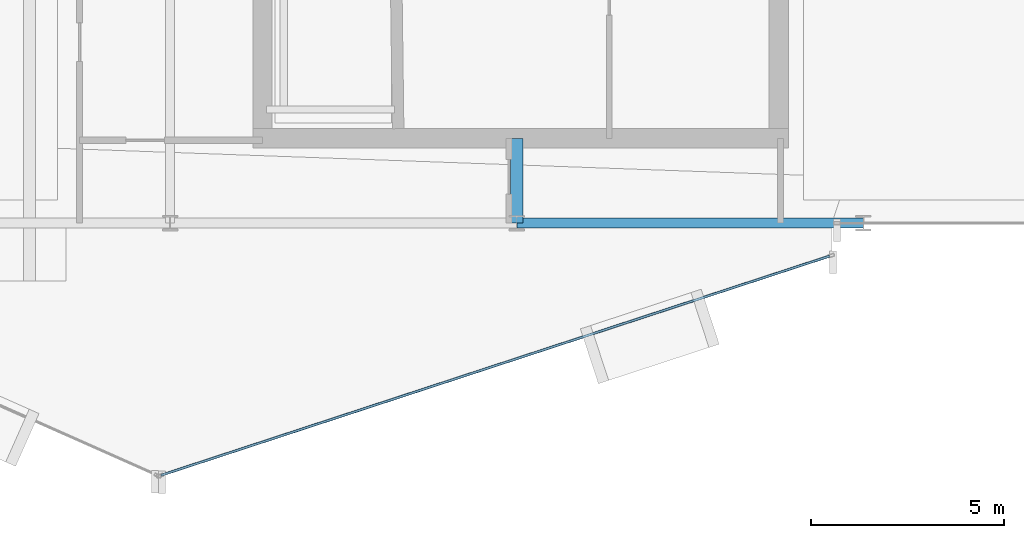
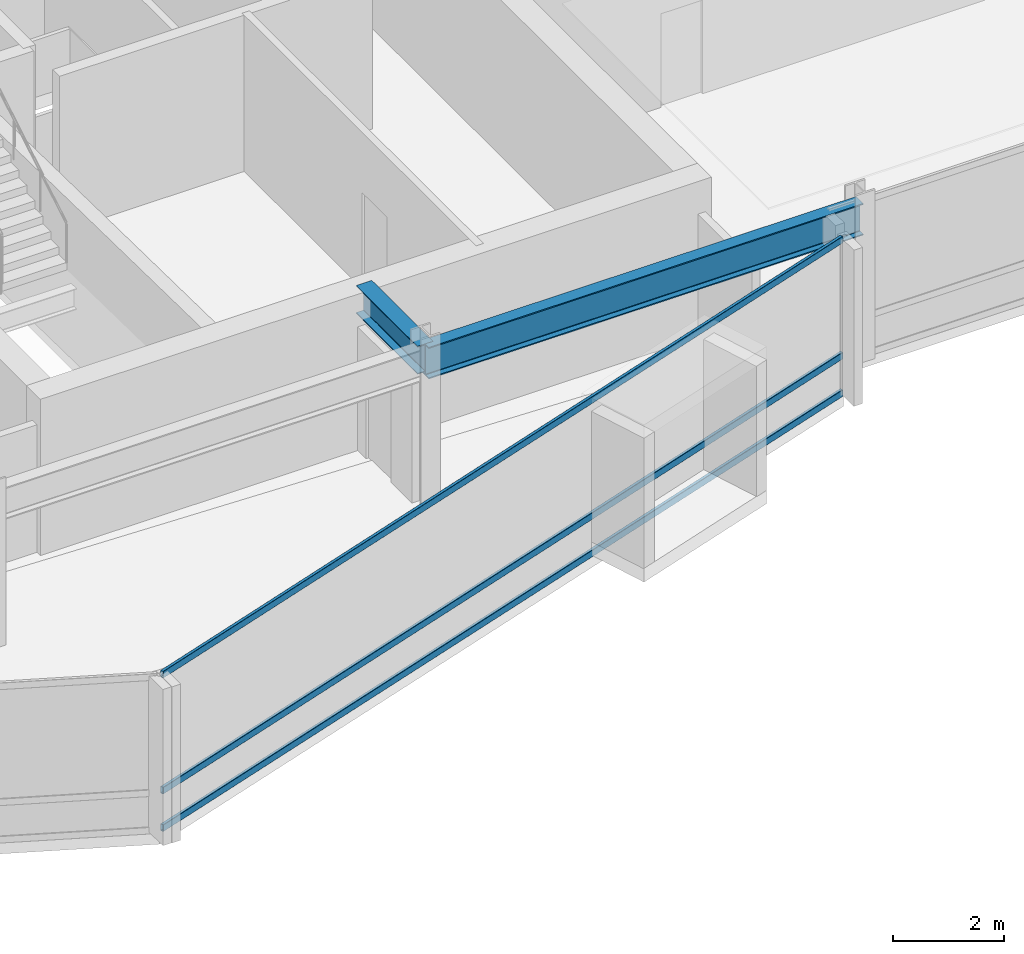
# One storey, part 9 of 27: 3 members, 2 beams, 1 element without a shape of its own.
"""IFC4 building model written with IfcOpenShell, lengths in metres."""

import ifcopenshell
import ifcopenshell.guid

model = None  # the IFC model being written
_history = None  # IfcOwnerHistory: only IFC2X3 demands one
_inside = {}  # id of a spatial element -> (the spatial element, [elements in it])
_under = {}  # id of a project, library or spatial element -> (it, [spatial elements below it])
_declared = {}  # id of a project -> (the project, [libraries it declares])
_typed = {}  # id of a type object -> (the type object, [elements of that type])
_made_of = {}  # id of a material, layer set ... -> (it, [elements and type objects made of it])


def new_model(schema):
    """Start an empty IFC model of exactly this schema.

    Asked for "IFC4X3", IfcOpenShell would pick the latest addendum, in which some entities
    have other attributes; the version numbers below select the first issue.
    IFC2X3 requires an IfcOwnerHistory on every rooted entity: one is made here for all.
    """
    global model, _history
    if schema == "IFC4X3":
        model = ifcopenshell.file(schema_version=(4, 3, 0, 0))
    else:
        model = ifcopenshell.file(schema=schema)
    _inside.clear()
    _under.clear()
    _declared.clear()
    _typed.clear()
    _made_of.clear()
    _history = None
    if model.schema == "IFC2X3":
        org = make("IfcOrganization", Name="unknown")
        user = make(
            "IfcPersonAndOrganization",
            ThePerson=make("IfcPerson", FamilyName="unknown"),
            TheOrganization=org,
        )
        app = make(
            "IfcApplication",
            ApplicationDeveloper=org,
            Version="unknown",
            ApplicationFullName="unknown",
            ApplicationIdentifier="unknown",
        )
        _history = make(
            "IfcOwnerHistory",
            OwningUser=user,
            OwningApplication=app,
            ChangeAction="ADDED",
            CreationDate=0,
        )
    return model


def make(cls, **values):
    """One entity of the class cls with the attributes given. An attribute that is None is left unset."""
    return model.create_entity(
        cls, **{name: value for name, value in values.items() if value is not None}
    )


def rooted(cls, **values):
    """An entity with a GlobalId (a new one), such as an element, a storey or a relation."""
    return make(cls, GlobalId=ifcopenshell.guid.new(), OwnerHistory=_history, **values)


def si_unit(unit_type, name, prefix=None):
    """IfcSIUnit, for example si_unit("LENGTHUNIT", "METRE", prefix="MILLI")."""
    return make("IfcSIUnit", UnitType=unit_type, Prefix=prefix, Name=name)


def assignment(units):
    """IfcUnitAssignment: the units of a project."""
    return None if units is None else make("IfcUnitAssignment", Units=units)


def point(xyz):
    """IfcCartesianPoint."""
    return None if xyz is None else make("IfcCartesianPoint", Coordinates=xyz)


def direction(xyz):
    """IfcDirection."""
    return None if xyz is None else make("IfcDirection", DirectionRatios=xyz)


def frame(location, z_axis=None, x_axis=None):
    """IfcAxis2Placement3D, a coordinate frame: its origin and axes. An axis left out is left unset."""
    return make(
        "IfcAxis2Placement3D",
        Location=point(location),
        Axis=direction(z_axis),
        RefDirection=direction(x_axis),
    )


def frame_2d(location, x_axis=None):
    """IfcAxis2Placement2D, a coordinate frame in the plane: its origin and x axis."""
    return make(
        "IfcAxis2Placement2D", Location=point(location), RefDirection=direction(x_axis)
    )


def origin():
    """The frame at (0, 0, 0) with its axes left unset."""
    return frame((0.0, 0.0, 0.0))


def origin_2d():
    """The frame at (0, 0) in the plane with its x axis left unset."""
    return frame_2d((0.0, 0.0))


def place(relative_to, where):
    """IfcLocalPlacement: puts the frame where relative to a parent placement (None: the world)."""
    return make(
        "IfcLocalPlacement", PlacementRelTo=relative_to, RelativePlacement=where
    )


def context(
    kind, dimensions, precision=None, world=None, true_north=None, identifier=None
):
    """IfcGeometricRepresentationContext, for example the 3D "Model" context."""
    return make(
        "IfcGeometricRepresentationContext",
        ContextIdentifier=identifier,
        ContextType=kind,
        CoordinateSpaceDimension=dimensions,
        Precision=precision,
        WorldCoordinateSystem=world,
        TrueNorth=true_north,
    )


def subcontext(parent, identifier, kind, view, scale=None):
    """IfcGeometricRepresentationSubContext, for example "Body" below "Model"."""
    return make(
        "IfcGeometricRepresentationSubContext",
        ContextIdentifier=identifier,
        ContextType=kind,
        ParentContext=parent,
        TargetScale=scale,
        TargetView=view,
    )


def project(units=None, contexts=None):
    """IfcProject with its units and contexts."""
    return rooted(
        "IfcProject",
        Name="project",
        RepresentationContexts=contexts,
        UnitsInContext=assignment(units),
    )


def spatial(cls, under=None, at=None, **own):
    """A site, building, storey or space (cls), placed at a placement, below another one or the project."""
    s = rooted(cls, ObjectPlacement=at, **own)
    if under is not None:
        _under.setdefault(under.id(), (under, []))[1].append(s)
    return s


def profile(cls, at=None, kind="AREA", **sizes):
    """A parametric profile (cls). Its sizes go by their IFC names, for example OverallWidth=200.0."""
    return make(cls, ProfileType=kind, Position=at, **sizes)


def hollow_rectangle(**sizes):
    """IfcRectangleHollowProfileDef."""
    return profile("IfcRectangleHollowProfileDef", **sizes)


def i_section(**sizes):
    """IfcIShapeProfileDef."""
    return profile("IfcIShapeProfileDef", **sizes)


def extrude(swept, where, along, depth):
    """IfcExtrudedAreaSolid: the profile swept, set in the frame where, extruded along a direction by depth."""
    return make(
        "IfcExtrudedAreaSolid",
        SweptArea=swept,
        Position=where,
        ExtrudedDirection=direction(along),
        Depth=depth,
    )


def shape(context_of_items, identifier, shape_type, items):
    """IfcShapeRepresentation: the items that make up one representation, for example the "Body"."""
    return make(
        "IfcShapeRepresentation",
        ContextOfItems=context_of_items,
        RepresentationIdentifier=identifier,
        RepresentationType=shape_type,
        Items=items,
    )


def material(Name=None, Category=None):
    """IfcMaterial."""
    return make("IfcMaterial", Name=Name, Category=Category)


def layer(
    of_material, thickness, ventilated=None, Name=None, Category=None, Priority=None
):
    """IfcMaterialLayer: one layer of a wall or slab, of a material (None: an air gap)."""
    return make(
        "IfcMaterialLayer",
        Material=of_material,
        LayerThickness=thickness,
        IsVentilated=ventilated,
        Name=Name,
        Category=Category,
        Priority=Priority,
    )


def layer_set(layers, Name=None):
    """IfcMaterialLayerSet."""
    return make("IfcMaterialLayerSet", MaterialLayers=layers, LayerSetName=Name)


def material_profile(
    of_material, cross_section, Name=None, Category=None, Priority=None
):
    """IfcMaterialProfile: a cross section and its material."""
    return make(
        "IfcMaterialProfile",
        Name=Name,
        Material=of_material,
        Profile=cross_section,
        Priority=Priority,
        Category=Category,
    )


def profile_set(profiles, Name=None, composite=None):
    """IfcMaterialProfileSet."""
    return make(
        "IfcMaterialProfileSet",
        Name=Name,
        MaterialProfiles=profiles,
        CompositeProfile=composite,
    )


def made_of(thing, what):
    """Note that an element or type object is made of a material, layer set ...; save() writes the relation."""
    if what is not None:
        _made_of.setdefault(what.id(), (what, []))[1].append(thing)
    return thing


def type_object(cls, material=None, **own):
    """A type object (cls), such as IfcWallType, which elements share."""
    return made_of(rooted(cls, **own), material)


def element(
    cls,
    number,
    at=None,
    inside=None,
    cuts=None,
    type_object=None,
    material=None,
    context=None,
    identifier="Body",
    shape_type=None,
    held_by="IfcProductDefinitionShape",
    body=None,
    shapes=None,
    **own,
):
    """One element of the class cls, such as IfcWall. Its Tag is "e" and its number.

    at: its placement. inside: the storey or other place that contains it. cuts: it is an
    opening in that element (IfcRelVoidsElement). A single representation is given by context,
    identifier, shape_type and body (its items); several are given by shapes. held_by: the class
    of the entity that holds the representations. save() writes the other relations.
    """
    e = rooted(cls, Tag="e%d" % number, ObjectPlacement=at, **own)
    if body is not None:
        shapes = [shape(context, identifier, shape_type, body)]
    if shapes is not None:
        e.Representation = make(held_by, Representations=shapes)
    if inside is not None:
        _inside.setdefault(inside.id(), (inside, []))[1].append(e)
    if cuts is not None:
        rooted(
            "IfcRelVoidsElement", RelatingBuildingElement=cuts, RelatedOpeningElement=e
        )
    if type_object is not None:
        _typed.setdefault(type_object.id(), (type_object, []))[1].append(e)
    return made_of(e, material)


def aggregate(whole, parts):
    """IfcRelAggregates: a whole, such as a stair, and the parts it consists of."""
    return rooted("IfcRelAggregates", RelatingObject=whole, RelatedObjects=parts)


def save(model, path):
    """Write the relations noted so far, then the file.

    IfcRelAggregates (storeys below a building ...), IfcRelContainedInSpatialStructure (elements
    in a storey), IfcRelDefinesByType, IfcRelAssociatesMaterial and IfcRelDeclares: one each for
    every whole, place, type object, material and project.
    """
    for whole, parts in _under.values():
        aggregate(whole, parts)
    for where, things in _inside.values():
        rooted(
            "IfcRelContainedInSpatialStructure",
            RelatedElements=things,
            RelatingStructure=where,
        )
    for kind, things in _typed.values():
        rooted("IfcRelDefinesByType", RelatedObjects=things, RelatingType=kind)
    for what, things in _made_of.values():
        rooted("IfcRelAssociatesMaterial", RelatedObjects=things, RelatingMaterial=what)
    for by, libraries in _declared.values():
        rooted("IfcRelDeclares", RelatingContext=by, RelatedDefinitions=libraries)
    model.write(path)


model = new_model("IFC4")

# Units and contexts
model_context = context("Model", 3, precision=1e-05, world=origin(), true_north=direction((0.0, 1.0)))
body_context = subcontext(model_context, "Body", "Model", "MODEL_VIEW")
ifc_project = project(units=[si_unit("LENGTHUNIT", "METRE"), si_unit("AREAUNIT", "SQUARE_METRE"), si_unit("VOLUMEUNIT", "CUBIC_METRE"), si_unit("PLANEANGLEUNIT", "RADIAN"), si_unit("MASSUNIT", "GRAM", prefix="KILO")], contexts=[model_context])

# Site, building, storey
site_placement = place(None, origin())
site = spatial("IfcSite", under=ifc_project, at=site_placement, CompositionType="ELEMENT")
building_placement = place(site_placement, origin())
building = spatial("IfcBuilding", under=site, at=building_placement, Name="Solvaryn Broadcast Tower", CompositionType="ELEMENT")
storey_placement = place(building_placement, frame((0.0, 0.0, 221.0)))
storey = spatial("IfcBuildingStorey", under=building, at=storey_placement, Name="L55", CompositionType="ELEMENT", Elevation=221.0)

# Beams
ifc_material_1 = material(Name="Steel ASTM A992 Grade 50", Category="steel")
ifc_material_profile_1 = material_profile(ifc_material_1, i_section(OverallWidth=0.323974609375, OverallDepth=0.611083984375, WebThickness=0.0126953125, FlangeThickness=0.01904296875, FilletRadius=0.014892578125, at=origin_2d()))
ifc_profile_set_1 = profile_set([ifc_material_profile_1], Name="Steel ASTM A992 Grade 50")
beam_type_1 = type_object("IfcBeamType", Name="BM-B1-W24X104", PredefinedType="BEAM", material=ifc_profile_set_1)
beam_1_placement = place(storey_placement, frame((36.0, 9.0, 3.114501953125), z_axis=(0.0, 1.0, 0.0), x_axis=(-1.0, 0.0, 0.0)))
element("IfcBeam", 1, at=beam_1_placement, inside=storey, type_object=beam_type_1, Name="L55 Core Tie Beam CTE1", PredefinedType="BEAM", context=body_context, shape_type="SweptSolid", body=[
    extrude(i_section(OverallWidth=0.323974609375, OverallDepth=0.611083984375, WebThickness=0.0126953125, FlangeThickness=0.01904296875, FilletRadius=0.014892578125, at=origin_2d()), origin(), (0.0, 0.0, 1.0), 2.199951171875),
])
ifc_material_2 = material(Name="Steel ASTM A992 Grade 50", Category="steel")
ifc_material_profile_2 = material_profile(ifc_material_2, i_section(OverallWidth=0.256103515625, OverallDepth=0.693115234375, WebThickness=0.014404296875, FlangeThickness=0.023681640625, FilletRadius=0.01611328125, at=origin_2d()))
ifc_profile_set_2 = profile_set([ifc_material_profile_2], Name="Steel ASTM A992 Grade 50")
beam_type_2 = type_object("IfcBeamType", Name="BM-SP3-W27X114", PredefinedType="USERDEFINED", material=ifc_profile_set_2)
beam_2_placement = place(storey_placement, frame((36.0, 9.0, 3.073486328125), z_axis=(1.0, 0.0, 0.0), x_axis=(0.0, 1.0, 0.0)))
element("IfcBeam", 2, at=beam_2_placement, inside=storey, type_object=beam_type_2, Name="L55 Spandrel Beam X (36-45 @ Y=9)", ObjectType="SPANDREL", PredefinedType="USERDEFINED", context=body_context, shape_type="SweptSolid", body=[
    extrude(i_section(OverallWidth=0.256103515625, OverallDepth=0.693115234375, WebThickness=0.014404296875, FlangeThickness=0.023681640625, FilletRadius=0.01611328125, at=origin_2d()), origin(), (0.0, 0.0, 1.0), 9.0),
])

# Curtain wall, members
ifc_material_3 = material(Name="Aluminium and Terracotta Unitised Curtain Wall", Category="masonry")
ifc_layer = layer(ifc_material_3, 0.199951171875)
ifc_layer_set = layer_set([ifc_layer], Name="CW-SYS2-LOWMID")
curtain_wall_type = type_object("IfcCurtainWallType", Name="CW-SYS2-LOWMID", PredefinedType="NOTDEFINED", material=ifc_layer_set)
curtain_wall_placement = place(storey_placement, origin())
curtain_wall = element("IfcCurtainWall", 3, at=curtain_wall_placement, inside=storey, type_object=curtain_wall_type, Name="L55 Curtain Wall DR4", PredefinedType="NOTDEFINED")
ifc_material_4 = material(Name="Anodised Aluminium 6063-T6", Category="aluminium")
ifc_material_profile_3 = material_profile(ifc_material_4, hollow_rectangle(XDim=0.06494140625, YDim=0.14990234375, WallThickness=0.00390625, InnerFilletRadius=0.00390625, OuterFilletRadius=0.008056640625, at=origin_2d()))
ifc_profile_set_3 = profile_set([ifc_material_profile_3], Name="Anodised Aluminium 6063-T6")
member_type = type_object("IfcMemberType", Name="CW-TRN-150", PredefinedType="USERDEFINED", material=ifc_profile_set_3)
member_1_placement = place(storey_placement, frame((26.762939453125, 2.45166015625, 0.030029296875), z_axis=(0.950227141586, 0.311557987209, 0.0), x_axis=(-0.311557987209, 0.950227141586, 0.0)))
member_1 = element("IfcMember", 4, at=member_1_placement, type_object=member_type, Name="CWS2 transom 1.1", ObjectType="TRANSOM", PredefinedType="USERDEFINED", context=body_context, shape_type="SweptSolid", body=[
    extrude(hollow_rectangle(XDim=0.06494140625, YDim=0.14990234375, WallThickness=0.00390625, InnerFilletRadius=0.00390625, OuterFilletRadius=0.008056640625, at=origin_2d()), origin(), (0.0, 0.0, 1.0), 18.271484375),
])
member_2_placement = place(storey_placement, frame((26.762939453125, 2.45166015625, 0.85009765625), z_axis=(0.950227141586, 0.311557987209, 0.0), x_axis=(-0.311557987209, 0.950227141586, 0.0)))
member_2 = element("IfcMember", 5, at=member_2_placement, type_object=member_type, Name="CWS2 transom 1.2", ObjectType="TRANSOM", PredefinedType="USERDEFINED", context=body_context, shape_type="SweptSolid", body=[
    extrude(hollow_rectangle(XDim=0.06494140625, YDim=0.14990234375, WallThickness=0.00390625, InnerFilletRadius=0.00390625, OuterFilletRadius=0.008056640625, at=origin_2d()), origin(), (0.0, 0.0, 1.0), 18.271484375),
])
member_3_placement = place(storey_placement, frame((26.762939453125, 2.45166015625, 3.389892578125), z_axis=(0.950227141586, 0.311557987209, 0.0), x_axis=(-0.311557987209, 0.950227141586, 0.0)))
member_3 = element("IfcMember", 6, at=member_3_placement, type_object=member_type, Name="CWS2 transom 1.3", ObjectType="TRANSOM", PredefinedType="USERDEFINED", context=body_context, shape_type="SweptSolid", body=[
    extrude(hollow_rectangle(XDim=0.06494140625, YDim=0.14990234375, WallThickness=0.00390625, InnerFilletRadius=0.00390625, OuterFilletRadius=0.008056640625, at=origin_2d()), origin(), (0.0, 0.0, 1.0), 18.271484375),
])
aggregate(curtain_wall, [member_1, member_2, member_3])

save(model, "model.ifc")
